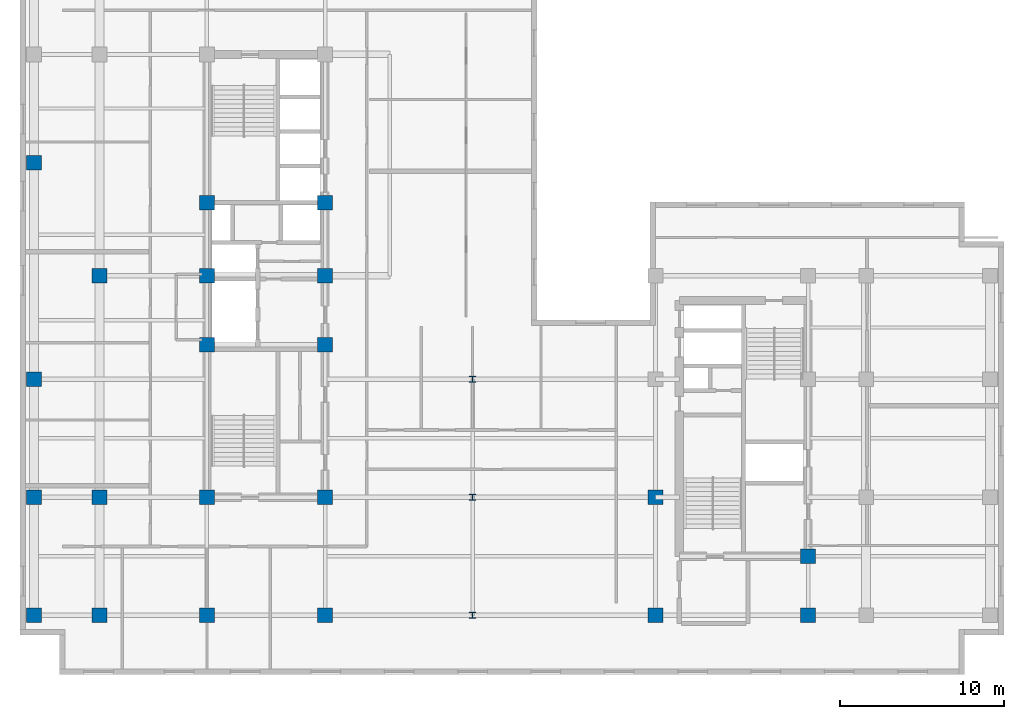
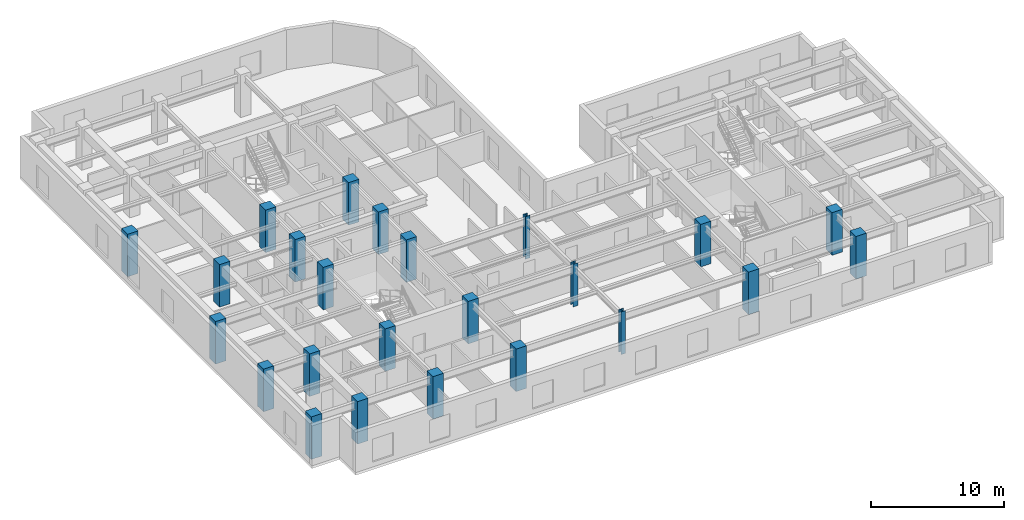
# One storey, part 1 of 11: 24 columns.
"""IFC4 building model written with IfcOpenShell, lengths in metres."""

from ifc_helpers import new_model, entity, si_unit, converted_unit, direction, frame, origin_with_axes, origin_2d_with_axis, place, context, subcontext, project, spatial, rectangle, i_section, extrude, material, material_profile, profile_set, type_object, element, save


model = new_model("IFC4")

# Units and contexts
model_context = context("Model", 3, precision=1e-05, world=origin_with_axes(), true_north=direction((0.0, 1.0)))
body_context = subcontext(model_context, "Body", "Model", "MODEL_VIEW")
ifc_project = project(units=[si_unit("LENGTHUNIT", "METRE"), si_unit("AREAUNIT", "SQUARE_METRE"), si_unit("VOLUMEUNIT", "CUBIC_METRE"), converted_unit("PLANEANGLEUNIT", "DEGREE", entity("IfcPlaneAngleMeasure", 0.017453292519943295), si_unit("PLANEANGLEUNIT", "RADIAN"), dimensions=[0, 0, 0, 0, 0, 0, 0]), si_unit("MASSUNIT", "GRAM", prefix="KILO"), si_unit("THERMODYNAMICTEMPERATUREUNIT", "KELVIN")], contexts=[model_context])

# Site, building, storey
site_placement = place(None, origin_with_axes())
site = spatial("IfcSite", under=ifc_project, at=site_placement, CompositionType="ELEMENT")
building_placement = place(site_placement, origin_with_axes())
building = spatial("IfcBuilding", under=site, at=building_placement, Name="Varnlund Millrace Tower", CompositionType="ELEMENT")
storey_placement = place(building_placement, frame((0.0, 0.0, 212.1), z_axis=(0.0, 0.0, 1.0), x_axis=(1.0, 0.0, 0.0)))
storey = spatial("IfcBuildingStorey", under=building, at=storey_placement, Name="L52", CompositionType="ELEMENT", Elevation=212.1)

# Columns
ifc_material_1 = material(Name="Steel ASTM A992 Grade 50", Category="steel")
ifc_material_profile_1 = material_profile(ifc_material_1, i_section(OverallWidth=0.394, OverallDepth=0.375, WebThickness=0.0173, FlangeThickness=0.0277, FilletRadius=0.02, at=origin_2d_with_axis()), Name="Steel ASTM A992 Grade 50")
ifc_profile_set_1 = profile_set([ifc_material_profile_1], Name="Steel ASTM A992 Grade 50")
column_type_1 = type_object("IfcColumnType", Name="Type-Col-Int-W14X145", PredefinedType="COLUMN", material=ifc_profile_set_1)
for number, where, z_axis, x_axis, name in (
    (1, (27.6, 3.6, 0.0), (0.0, 0.0, 1.0), (1.0, 0.0, 0.0), "Type-Col-Int-W14X145"),
    (2, (27.6, 10.8, 0.0), (0.0, 0.0, 1.0), (1.0, 0.0, 0.0), "Type-Col-Int-W14X145"),
    (3, (27.6, 18.0, 0.0), (0.0, 0.0, 1.0), (1.0, 0.0, 0.0), "Type-Col-Int-W14X145"),
):
    element("IfcColumn", number, at=place(storey_placement, frame(where, z_axis=z_axis, x_axis=x_axis)), inside=storey, type_object=column_type_1, Name=name, PredefinedType="COLUMN", context=body_context, shape_type="SweptSolid", body=[
        extrude(i_section(OverallWidth=0.394, OverallDepth=0.375, WebThickness=0.0173, FlangeThickness=0.0277, FilletRadius=0.02, at=origin_2d_with_axis()), origin_with_axes(), (0.0, 0.0, 1.0), 3.9),
    ])
ifc_material_2 = material(Name="Concrete C70/85", Category="concrete")
ifc_material_profile_2 = material_profile(ifc_material_2, rectangle(XDim=0.9, YDim=0.9, at=origin_2d_with_axis()), Name="Concrete C70/85")
ifc_profile_set_2 = profile_set([ifc_material_profile_2], Name="Concrete C70/85")
column_type_2 = type_object("IfcColumnType", Name="Type-Col-RC900-C70", PredefinedType="COLUMN", material=ifc_profile_set_2)
for number, where, z_axis, x_axis, name in (
    (4, (11.4, 3.6, 0.0), (0.0, 0.0, 1.0), (1.0, 0.0, 0.0), "Type-Col-RC900-C70"),
    (5, (11.4, 10.8, 0.0), (0.0, 0.0, 1.0), (1.0, 0.0, 0.0), "Type-Col-RC900-C70"),
    (6, (11.4, 20.1, 0.0), (0.0, 0.0, 1.0), (1.0, 0.0, 0.0), "Type-Col-RC900-C70"),
    (7, (11.4, 24.3, 0.0), (0.0, 0.0, 1.0), (1.0, 0.0, 0.0), "Type-Col-RC900-C70"),
    (8, (11.4, 28.75, 0.0), (0.0, 0.0, 1.0), (1.0, 0.0, 0.0), "Type-Col-RC900-C70"),
    (9, (18.6, 3.6, 0.0), (0.0, 0.0, 1.0), (1.0, 0.0, 0.0), "Type-Col-RC900-C70"),
    (10, (18.6, 10.8, 0.0), (0.0, 0.0, 1.0), (1.0, 0.0, 0.0), "Type-Col-RC900-C70"),
    (11, (18.6, 20.1, 0.0), (0.0, 0.0, 1.0), (1.0, 0.0, 0.0), "Type-Col-RC900-C70"),
    (12, (18.6, 24.3, 0.0), (0.0, 0.0, 1.0), (1.0, 0.0, 0.0), "Type-Col-RC900-C70"),
    (13, (18.6, 28.75, 0.0), (0.0, 0.0, 1.0), (1.0, 0.0, 0.0), "Type-Col-RC900-C70"),
    (14, (4.85, 3.6, 0.0), (0.0, 0.0, 1.0), (1.0, 0.0, 0.0), "Type-Col-RC900-C70"),
    (15, (4.85, 10.8, 0.0), (0.0, 0.0, 1.0), (1.0, 0.0, 0.0), "Type-Col-RC900-C70"),
    (16, (4.85, 24.3, 0.0), (0.0, 0.0, 1.0), (1.0, 0.0, 0.0), "Type-Col-RC900-C70"),
    (17, (0.85, 3.6, 0.0), (0.0, 0.0, 1.0), (1.0, 0.0, 0.0), "Type-Col-RC900-C70"),
    (18, (0.85, 10.8, 0.0), (0.0, 0.0, 1.0), (1.0, 0.0, 0.0), "Type-Col-RC900-C70"),
    (19, (0.85, 18.0, 0.0), (0.0, 0.0, 1.0), (1.0, 0.0, 0.0), "Type-Col-RC900-C70"),
    (20, (0.85, 31.2, 0.0), (0.0, 0.0, 1.0), (1.0, 0.0, 0.0), "Type-Col-RC900-C70"),
    (21, (38.75, 3.6, 0.0), (0.0, 0.0, 1.0), (1.0, 0.0, 0.0), "Type-Col-RC900-C70"),
    (22, (38.75, 10.8, 0.0), (0.0, 0.0, 1.0), (1.0, 0.0, 0.0), "Type-Col-RC900-C70"),
    (23, (48.05, 3.6, 0.0), (0.0, 0.0, 1.0), (1.0, 0.0, 0.0), "Type-Col-RC900-C70"),
    (24, (48.05, 7.2, 0.0), (0.0, 0.0, 1.0), (1.0, 0.0, 0.0), "Type-Col-RC900-C70"),
):
    element("IfcColumn", number, at=place(storey_placement, frame(where, z_axis=z_axis, x_axis=x_axis)), inside=storey, type_object=column_type_2, Name=name, PredefinedType="COLUMN", context=body_context, shape_type="SweptSolid", body=[
        extrude(rectangle(XDim=0.9, YDim=0.9, at=origin_2d_with_axis()), origin_with_axes(), (0.0, 0.0, 1.0), 3.9),
    ])

save(model, "model.ifc")
